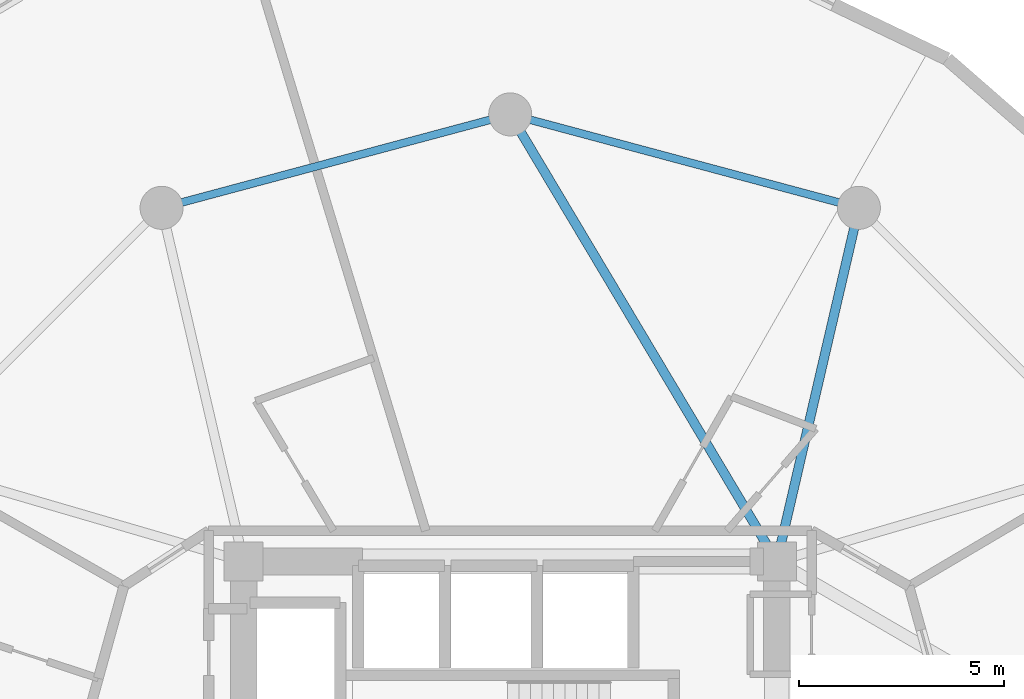
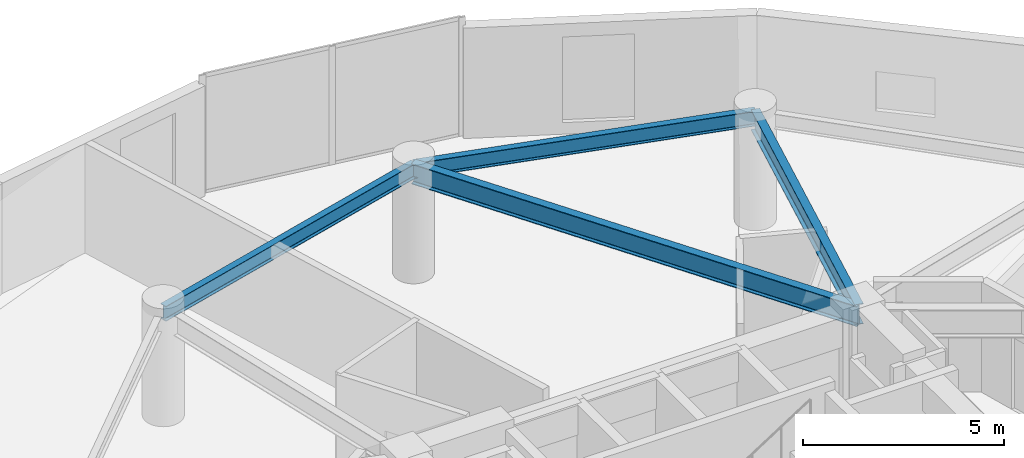
# One storey, part 12 of 20: 4 beams.
"""IFC4 building model written with IfcOpenShell, lengths in metres."""

from ifc_helpers import new_model, si_unit, direction, frame, origin, origin_2d, place, context, subcontext, project, spatial, i_section, extrude, material, material_profile, profile_set, type_object, element, save


model = new_model("IFC4")

# Units and contexts
model_context = context("Model", 3, precision=1e-05, world=origin(), true_north=direction((0.0, 1.0)))
body_context = subcontext(model_context, "Body", "Model", "MODEL_VIEW")
ifc_project = project(units=[si_unit("LENGTHUNIT", "METRE"), si_unit("AREAUNIT", "SQUARE_METRE"), si_unit("VOLUMEUNIT", "CUBIC_METRE"), si_unit("PLANEANGLEUNIT", "RADIAN"), si_unit("MASSUNIT", "GRAM", prefix="KILO")], contexts=[model_context])

# Site, building, storey
site_placement = place(None, origin())
site = spatial("IfcSite", under=ifc_project, at=site_placement, CompositionType="ELEMENT")
building_placement = place(site_placement, origin())
building = spatial("IfcBuilding", under=site, at=building_placement, Name="Solvirekh Grand Hotel", CompositionType="ELEMENT")
storey_placement = place(building_placement, frame((0.0, 0.0, 156.60009765625)))
storey = spatial("IfcBuildingStorey", under=building, at=storey_placement, Name="L40", CompositionType="ELEMENT", Elevation=156.60009765625)

# Beams
ifc_material = material(Name="Steel S355", Category="steel")
ifc_material_profile_1 = material_profile(ifc_material, i_section(OverallWidth=0.22802734375, OverallDepth=0.616943359375, WebThickness=0.012939453125, FlangeThickness=0.02001953125, FilletRadius=0.014892578125, at=origin_2d()), Name="W610X140")
ifc_profile_set_1 = profile_set([ifc_material_profile_1], Name="Steel S355")
beam_type_1 = type_object("IfcBeamType", Name="Beam_Radial_W610", PredefinedType="BEAM", material=ifc_profile_set_1)
beam_1_placement = place(storey_placement, frame((6.5, 6.10009765625, 3.041015625), z_axis=(0.225969390542, 0.974134402707, 0.0), x_axis=(-0.974134402707, 0.225969390542, 0.0)))
element("IfcBeam", 1, at=beam_1_placement, inside=storey, type_object=beam_type_1, Name="L40 radial floor beam R03", PredefinedType="BEAM", context=body_context, shape_type="SweptSolid", body=[
    extrude(i_section(OverallWidth=0.22802734375, OverallDepth=0.616943359375, WebThickness=0.012939453125, FlangeThickness=0.02001953125, FilletRadius=0.014892578125, at=origin_2d()), origin(), (0.0, 0.0, 1.0), 8.850830078125),
])
beam_2_placement = place(storey_placement, frame((6.5, 6.10009765625, 3.041015625), z_axis=(-0.512179721377, 0.858878299301, 0.0), x_axis=(-0.858878299301, -0.512179721377, 0.0)))
element("IfcBeam", 2, at=beam_2_placement, inside=storey, type_object=beam_type_1, Name="L40 radial floor beam R04", PredefinedType="BEAM", context=body_context, shape_type="SweptSolid", body=[
    extrude(i_section(OverallWidth=0.22802734375, OverallDepth=0.616943359375, WebThickness=0.012939453125, FlangeThickness=0.02001953125, FilletRadius=0.014892578125, at=origin_2d()), origin(), (0.0, 0.0, 1.0), 12.69091796875),
])
ifc_material_profile_2 = material_profile(ifc_material, i_section(OverallWidth=0.18994140625, OverallDepth=0.45703125, WebThickness=0.009033203125, FlangeThickness=0.013916015625, FilletRadius=0.012939453125, at=origin_2d()), Name="W460X74")
ifc_profile_set_2 = profile_set([ifc_material_profile_2], Name="Steel S355")
beam_type_2 = type_object("IfcBeamType", Name="Spandrel_Ring_W460", PredefinedType="SPANDREL", material=ifc_profile_set_2)
for number, where, z_axis, x_axis, name in (
    (3, (8.5, 14.721923828125, 3.120849609375), (-0.965911391906, 0.258872908946, 0.0), (-0.258872908946, -0.965911391906, 0.0), "L40 perimeter spandrel beam 3"),
    (4, (0.0, 17.0, 3.120849609375), (-0.965911391906, -0.258872908946, 0.0), (0.258872908946, -0.965911391906, 0.0), "L40 perimeter spandrel beam 4"),
):
    element("IfcBeam", number, at=place(storey_placement, frame(where, z_axis=z_axis, x_axis=x_axis)), inside=storey, type_object=beam_type_2, Name=name, PredefinedType="SPANDREL", context=body_context, shape_type="SweptSolid", body=[
        extrude(i_section(OverallWidth=0.18994140625, OverallDepth=0.45703125, WebThickness=0.009033203125, FlangeThickness=0.013916015625, FilletRadius=0.012939453125, at=origin_2d()), origin(), (0.0, 0.0, 1.0), 8.800048828125),
    ])

save(model, "model.ifc")
